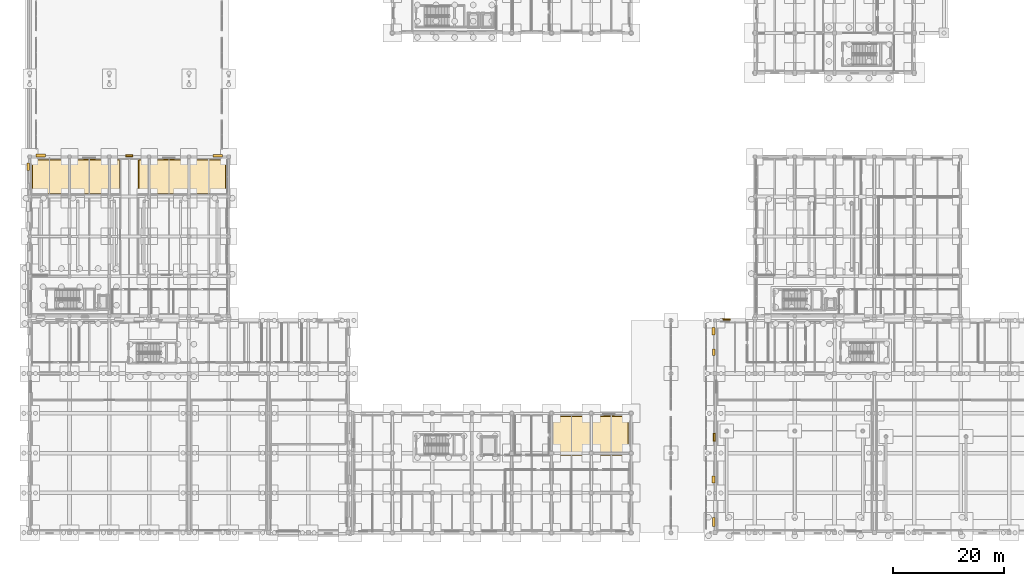
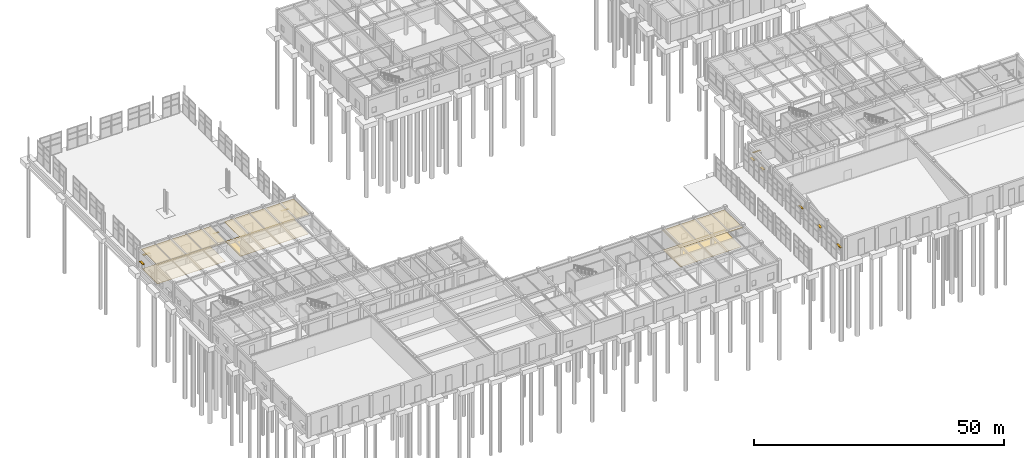
# One storey, part 84 of 91: 10 shading devices, 6 coverings.
"""IFC4 building model written with IfcOpenShell, lengths in metres."""

from ifc_helpers import new_model, si_unit, direction, frame, origin, origin_2d, place, context, subcontext, project, spatial, polyline, rectangle, outline, extrude, material, layer, layer_set, type_object, element, save


model = new_model("IFC4")

# Units and contexts
model_context = context("Model", 3, precision=1e-05, world=origin(), true_north=direction((0.0, 1.0)))
body_context = subcontext(model_context, "Body", "Model", "MODEL_VIEW")
ifc_project = project(units=[si_unit("LENGTHUNIT", "METRE"), si_unit("AREAUNIT", "SQUARE_METRE"), si_unit("VOLUMEUNIT", "CUBIC_METRE"), si_unit("PLANEANGLEUNIT", "RADIAN"), si_unit("MASSUNIT", "GRAM", prefix="KILO")], contexts=[model_context])

# Site, building, storey
site_placement = place(None, origin())
site = spatial("IfcSite", under=ifc_project, at=site_placement, CompositionType="ELEMENT")
building_placement = place(site_placement, origin())
building = spatial("IfcBuilding", under=site, at=building_placement, Name="Bramveld Media Centre", CompositionType="ELEMENT")
storey_placement = place(building_placement, origin())
storey = spatial("IfcBuildingStorey", under=building, at=storey_placement, Name="L00", CompositionType="ELEMENT", Elevation=0.0)

# Coverings
ifc_material_1 = material(Name="Perforated acoustic mineral-fibre & oak-slat suspended ceiling")
ifc_layer_1 = layer(ifc_material_1, 0.044921875)
ifc_layer_set_1 = layer_set([ifc_layer_1], Name="Perforated acoustic mineral-fibre & oak-slat suspended ceiling")
covering_type_1 = type_object("IfcCoveringType", Name="COV-CEIL-01", PredefinedType="CEILING", material=ifc_layer_set_1)
covering_1_placement = place(storey_placement, frame((0.0, 0.0, 4.7451171875)))
element("IfcCovering", 1, at=covering_1_placement, inside=storey, type_object=covering_type_1, Name="Park Foyer Circulation Lobby acoustic suspended ceiling", PredefinedType="CEILING", context=body_context, shape_type="SweptSolid", body=[
    extrude(outline(polyline([(19.60009765625, 61.199951171875), (35.60009765625, 61.199951171875), (35.60009765625, 67.60009765625), (19.60009765625, 67.60009765625), (19.60009765625, 61.199951171875)])), origin(), (0.0, 0.0, 1.0), 0.044921875),
])
ifc_material_2 = material(Name="Spring-isolated studio acoustic gypsum & mineral-wool ceiling")
ifc_layer_2 = layer(ifc_material_2, 0.06005859375)
ifc_layer_set_2 = layer_set([ifc_layer_2], Name="Spring-isolated studio acoustic gypsum & mineral-wool ceiling")
covering_type_2 = type_object("IfcCoveringType", Name="COV-CEIL-02", PredefinedType="CEILING", material=ifc_layer_set_2)
covering_2_placement = place(storey_placement, frame((0.0, 0.0, 4.72998046875)))
element("IfcCovering", 2, at=covering_2_placement, inside=storey, type_object=covering_type_2, Name="Park Colonnade Cafe & Bar acoustic suspended ceiling", PredefinedType="CEILING", context=body_context, shape_type="SweptSolid", body=[
    extrude(outline(polyline([(0.39990234375, 61.199951171875), (16.39990234375, 61.199951171875), (16.39990234375, 67.60009765625), (0.39990234375, 67.60009765625), (0.39990234375, 61.199951171875)])), origin(), (0.0, 0.0, 1.0), 0.06005859375),
])
covering_3_placement = place(storey_placement, frame((0.0, 0.0, 4.739990234375)))
element("IfcCovering", 3, at=covering_3_placement, inside=storey, type_object=covering_type_2, Name="Cloakroom & Visitor Circulation Lobby acoustic suspended ceiling", PredefinedType="CEILING", context=body_context, shape_type="SweptSolid", body=[
    extrude(outline(polyline([(94.0, 14.0), (108.39990234375, 14.0), (108.39990234375, 21.199951171875), (94.0, 21.199951171875), (94.0, 14.0)])), origin(), (0.0, 0.0, 1.0), 0.06005859375),
])
ifc_material_3 = material(Name="Floating acoustic screed with smoked European oak studio flooring")
ifc_layer_3 = layer(ifc_material_3, 0.06494140625)
ifc_layer_set_3 = layer_set([ifc_layer_3], Name="Floating acoustic screed with smoked European oak studio flooring")
covering_type_3 = type_object("IfcCoveringType", Name="COV-FLOOR-01", PredefinedType="FLOORING", material=ifc_layer_set_3)
covering_4_placement = place(storey_placement, origin())
element("IfcCovering", 4, at=covering_4_placement, inside=storey, type_object=covering_type_3, Name="Park Colonnade Cafe & Bar finish flooring", PredefinedType="FLOORING", context=body_context, shape_type="SweptSolid", body=[
    extrude(outline(polyline([(0.550048828125, 61.35009765625), (16.25, 61.35009765625), (16.25, 67.449951171875), (0.550048828125, 67.449951171875), (0.550048828125, 61.35009765625)])), origin(), (0.0, 0.0, 1.0), 0.06494140625),
])
ifc_material_4 = material(Name="Honed Belgian bluestone (petit granit) public concourse flooring", Category="masonry")
ifc_layer_4 = layer(ifc_material_4, 0.050048828125)
ifc_layer_set_4 = layer_set([ifc_layer_4], Name="Honed Belgian bluestone (petit granit) public concourse flooring")
covering_type_4 = type_object("IfcCoveringType", Name="COV-FLOOR-02", PredefinedType="FLOORING", material=ifc_layer_set_4)
covering_5_placement = place(storey_placement, origin())
element("IfcCovering", 5, at=covering_5_placement, inside=storey, type_object=covering_type_4, Name="Park Foyer Circulation Lobby finish flooring", PredefinedType="FLOORING", context=body_context, shape_type="SweptSolid", body=[
    extrude(outline(polyline([(19.75, 61.35009765625), (35.449951171875, 61.35009765625), (35.449951171875, 67.449951171875), (19.75, 67.449951171875), (19.75, 61.35009765625)])), origin(), (0.0, 0.0, 1.0), 0.050048828125),
])
covering_6_placement = place(storey_placement, origin())
element("IfcCovering", 6, at=covering_6_placement, inside=storey, type_object=covering_type_4, Name="Cloakroom & Visitor Circulation Lobby finish flooring", PredefinedType="FLOORING", context=body_context, shape_type="SweptSolid", body=[
    extrude(outline(polyline([(94.14990234375, 14.14990234375), (108.25, 14.14990234375), (108.25, 21.050048828125), (94.14990234375, 21.050048828125), (94.14990234375, 14.14990234375)])), origin(), (0.0, 0.0, 1.0), 0.050048828125),
])

# Shading devices
ifc_material_5 = material(Name="Anodized bronze extruded aluminium solar shading fin", Category="aluminium")
shading_device_type_1 = type_object("IfcShadingDeviceType", Name="SHD-BRISE-350", PredefinedType="JALOUSIE", material=ifc_material_5)
shading_device_1_placement = place(storey_placement, frame((125.823486328125, 38.574951171875, 2.35986328125), z_axis=(0.0, 0.0, 1.0), x_axis=(1.0, 0.0, 0.0)))
element("IfcShadingDevice", 7, at=shading_device_1_placement, inside=storey, type_object=shading_device_type_1, Name="Bronze solar shading fin 6", PredefinedType="JALOUSIE", context=body_context, shape_type="SweptSolid", body=[
    extrude(rectangle(XDim=1.75, YDim=0.35009765625, at=origin_2d()), origin(), (0.0, 0.0, 1.0), 0.06005859375),
])
shading_device_2_placement = place(storey_placement, frame((123.824951171875, 17.280029296875, 2.35986328125), z_axis=(0.0, 0.0, 1.0), x_axis=(1.0, 0.0, 0.0)))
element("IfcShadingDevice", 8, at=shading_device_2_placement, inside=storey, type_object=shading_device_type_1, Name="Bronze solar shading fin 15", PredefinedType="JALOUSIE", context=body_context, shape_type="SweptSolid", body=[
    extrude(rectangle(XDim=0.35009765625, YDim=1.449951171875, at=origin_2d()), origin(), (0.0, 0.0, 1.0), 0.06005859375),
])
shading_device_3_placement = place(storey_placement, frame((18.0, 68.175048828125, 2.260009765625), z_axis=(0.0, 0.0, 1.0), x_axis=(1.0, 0.0, 0.0)))
element("IfcShadingDevice", 9, at=shading_device_3_placement, inside=storey, type_object=shading_device_type_1, Name="Bronze solar shading fin 102", PredefinedType="JALOUSIE", context=body_context, shape_type="SweptSolid", body=[
    extrude(rectangle(XDim=1.300048828125, YDim=0.35009765625, at=origin_2d()), origin(), (0.0, 0.0, 1.0), 0.06005859375),
])
ifc_material_6 = material(Name="Anodized bronze extruded aluminium solar shading fin", Category="aluminium")
shading_device_type_2 = type_object("IfcShadingDeviceType", Name="SHD-BRISE-450", PredefinedType="JALOUSIE", material=ifc_material_6)
shading_device_4_placement = place(storey_placement, frame((123.77490234375, 1.919921875, 2.260009765625), z_axis=(0.0, 0.0, 1.0), x_axis=(1.0, 0.0, 0.0)))
element("IfcShadingDevice", 10, at=shading_device_4_placement, inside=storey, type_object=shading_device_type_2, Name="Bronze solar shading fin 13", PredefinedType="JALOUSIE", context=body_context, shape_type="SweptSolid", body=[
    extrude(rectangle(XDim=0.449951171875, YDim=1.60009765625, at=origin_2d()), origin(), (0.0, 0.0, 1.0), 0.06005859375),
])
shading_device_5_placement = place(storey_placement, frame((123.77490234375, 32.639892578125, 2.510009765625), z_axis=(0.0, 0.0, 1.0), x_axis=(1.0, 0.0, 0.0)))
element("IfcShadingDevice", 11, at=shading_device_5_placement, inside=storey, type_object=shading_device_type_2, Name="Bronze solar shading fin 16", PredefinedType="JALOUSIE", context=body_context, shape_type="SweptSolid", body=[
    extrude(rectangle(XDim=0.449951171875, YDim=1.199951171875, at=origin_2d()), origin(), (0.0, 0.0, 1.0), 0.06005859375),
])
shading_device_6_placement = place(storey_placement, frame((34.0, 68.22509765625, 2.260009765625), z_axis=(0.0, 0.0, 1.0), x_axis=(1.0, 0.0, 0.0)))
element("IfcShadingDevice", 12, at=shading_device_6_placement, inside=storey, type_object=shading_device_type_2, Name="Bronze solar shading fin 103", PredefinedType="JALOUSIE", context=body_context, shape_type="SweptSolid", body=[
    extrude(rectangle(XDim=1.699951171875, YDim=0.449951171875, at=origin_2d()), origin(), (0.0, 0.0, 1.0), 0.06005859375),
])
shading_device_7_placement = place(storey_placement, frame((-0.22509765625, 66.199951171875, 2.510009765625), z_axis=(0.0, 0.0, 1.0), x_axis=(1.0, 0.0, 0.0)))
element("IfcShadingDevice", 13, at=shading_device_7_placement, inside=storey, type_object=shading_device_type_2, Name="Bronze solar shading fin 109", PredefinedType="JALOUSIE", context=body_context, shape_type="SweptSolid", body=[
    extrude(rectangle(XDim=0.449951171875, YDim=1.35009765625, at=origin_2d()), origin(), (0.0, 0.0, 1.0), 0.06005859375),
])
ifc_material_7 = material(Name="Anodized bronze extruded aluminium solar shading fin", Category="aluminium")
shading_device_type_3 = type_object("IfcShadingDeviceType", Name="SHD-BRISE-550", PredefinedType="JALOUSIE", material=ifc_material_7)
shading_device_8_placement = place(storey_placement, frame((123.72509765625, 9.60009765625, 2.35986328125), z_axis=(0.0, 0.0, 1.0), x_axis=(1.0, 0.0, 0.0)))
element("IfcShadingDevice", 14, at=shading_device_8_placement, inside=storey, type_object=shading_device_type_3, Name="Bronze solar shading fin 14", PredefinedType="JALOUSIE", context=body_context, shape_type="SweptSolid", body=[
    extrude(rectangle(XDim=0.550048828125, YDim=1.25, at=origin_2d()), origin(), (0.0, 0.0, 1.0), 0.06005859375),
])
shading_device_9_placement = place(storey_placement, frame((123.72509765625, 36.47998046875, 2.510009765625), z_axis=(0.0, 0.0, 1.0), x_axis=(1.0, 0.0, 0.0)))
element("IfcShadingDevice", 15, at=shading_device_9_placement, inside=storey, type_object=shading_device_type_3, Name="Bronze solar shading fin 17", PredefinedType="JALOUSIE", context=body_context, shape_type="SweptSolid", body=[
    extrude(rectangle(XDim=0.550048828125, YDim=1.35009765625, at=origin_2d()), origin(), (0.0, 0.0, 1.0), 0.06005859375),
])
shading_device_10_placement = place(storey_placement, frame((2.0, 68.27490234375, 2.659912109375), z_axis=(0.0, 0.0, 1.0), x_axis=(1.0, 0.0, 0.0)))
element("IfcShadingDevice", 16, at=shading_device_10_placement, inside=storey, type_object=shading_device_type_3, Name="Bronze solar shading fin 101", PredefinedType="JALOUSIE", context=body_context, shape_type="SweptSolid", body=[
    extrude(rectangle(XDim=1.639892578125, YDim=0.550048828125, at=origin_2d()), origin(), (0.0, 0.0, 1.0), 0.06005859375),
])

save(model, "model.ifc")
